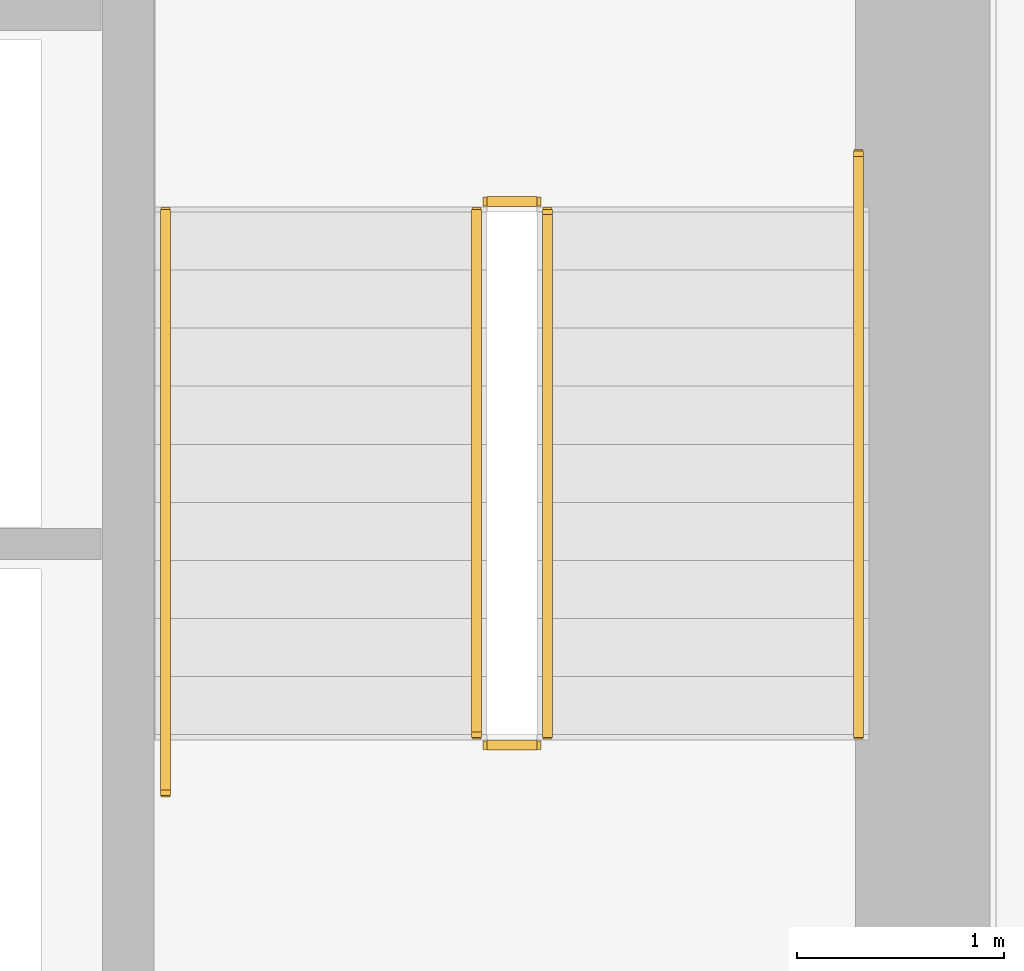
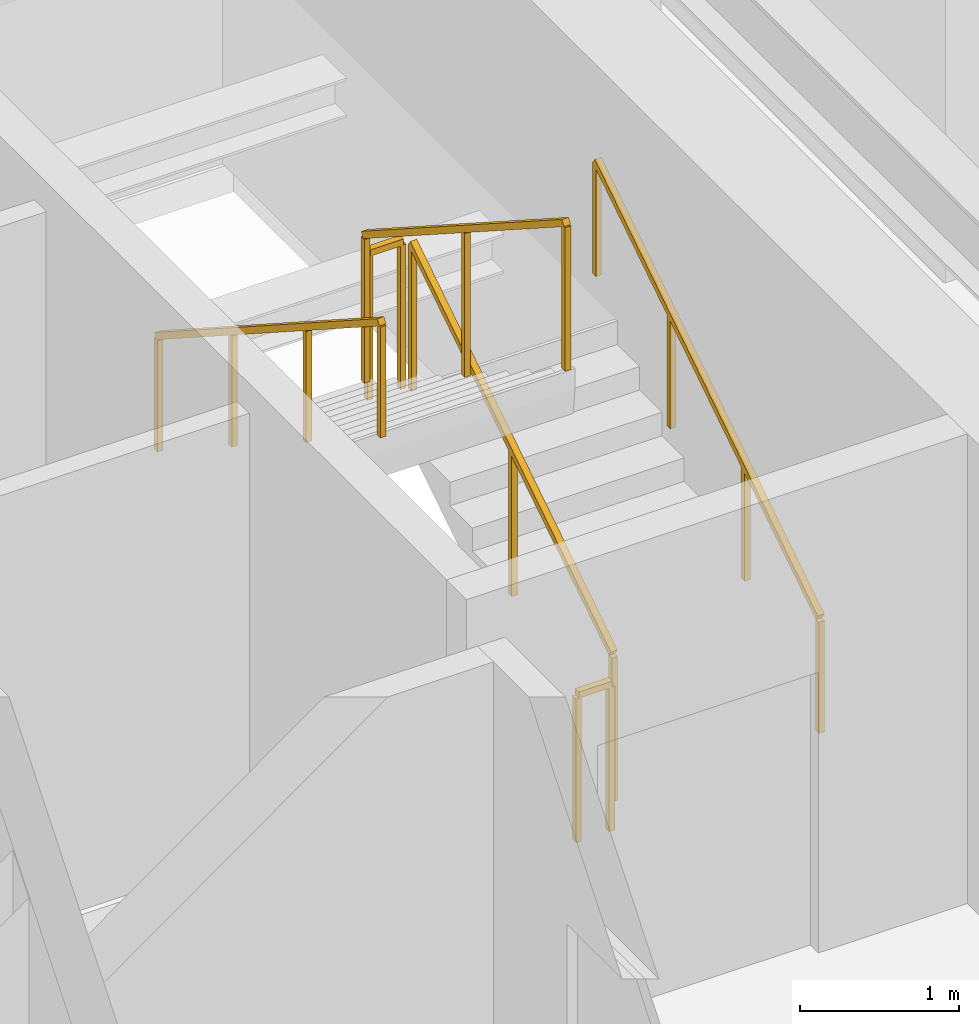
# One storey, part 27 of 28: 6 railings.
"""IFC4 building model written with IfcOpenShell, lengths in metres."""

from ifc_helpers import new_model, si_unit, direction, frame, origin, origin_2d, place, context, subcontext, project, spatial, rectangle, extrude, material, type_object, element, save


model = new_model("IFC4")

# Units and contexts
model_context = context("Model", 3, precision=1e-05, world=origin(), true_north=direction((0.0, 1.0)))
body_context = subcontext(model_context, "Body", "Model", "MODEL_VIEW")
ifc_project = project(units=[si_unit("LENGTHUNIT", "METRE"), si_unit("AREAUNIT", "SQUARE_METRE"), si_unit("VOLUMEUNIT", "CUBIC_METRE"), si_unit("PLANEANGLEUNIT", "RADIAN"), si_unit("MASSUNIT", "GRAM", prefix="KILO")], contexts=[model_context])

# Site, building, storey
site_placement = place(None, origin())
site = spatial("IfcSite", under=ifc_project, at=site_placement, CompositionType="ELEMENT")
building_placement = place(site_placement, origin())
building = spatial("IfcBuilding", under=site, at=building_placement, Name="Sumidabori Civic Tower", CompositionType="ELEMENT")
storey_placement = place(building_placement, frame((0.0, 0.0, 178.39990234375)))
storey = spatial("IfcBuildingStorey", under=building, at=storey_placement, Name="L46", CompositionType="ELEMENT", Elevation=178.39990234375)

# Railings
ifc_material_1 = material(Name="Stainless Steel Hairline Finish", Category="steel")
railing_type_1 = type_object("IfcRailingType", Name="RL-HANDRAIL", PredefinedType="HANDRAIL", material=ifc_material_1)
railing_1_placement = place(storey_placement, frame((15.2900390625, 16.0, 0.18017578125)))
element("IfcRailing", 1, at=railing_1_placement, inside=storey, type_object=railing_type_1, Name="L46 ST-2 stair handrail 1", PredefinedType="HANDRAIL", context=body_context, shape_type="SweptSolid", body=[
    extrude(rectangle(XDim=0.048095703125, YDim=0.048095703125, at=origin_2d()), frame((0.0, 0.0, 0.8759765625), z_axis=(0.0, 0.840675598268, 0.541539046124), x_axis=(-1.0, 0.0, 0.0)), (0.0, 0.0, 1.0), 3.330810546875),
    extrude(rectangle(XDim=0.0419921875, YDim=0.0419921875, at=origin_2d()), origin(), (0.0, 0.0, 1.0), 0.851806640625),
    extrude(rectangle(XDim=0.0419921875, YDim=0.0419921875, at=origin_2d()), frame((0.0, 0.933349609375, 0.601318359375)), (0.0, 0.0, 1.0), 0.851806640625),
    extrude(rectangle(XDim=0.0419921875, YDim=0.0419921875, at=origin_2d()), frame((0.0, 1.86669921875, 1.202392578125)), (0.0, 0.0, 1.0), 0.851806640625),
    extrude(rectangle(XDim=0.0419921875, YDim=0.0419921875, at=origin_2d()), frame((0.0, 2.800048828125, 1.8037109375)), (0.0, 0.0, 1.0), 0.851806640625),
])
railing_2_placement = place(storey_placement, frame((11.949951171875, 18.52001953125, 1.97998046875)))
element("IfcRailing", 2, at=railing_2_placement, inside=storey, type_object=railing_type_1, Name="L46 ST-2 stair handrail 2", PredefinedType="HANDRAIL", context=body_context, shape_type="SweptSolid", body=[
    extrude(rectangle(XDim=0.048095703125, YDim=0.048095703125, at=origin_2d()), frame((0.0, 0.0, 0.8759765625), z_axis=(0.0, -0.84064222762, 0.54159084662), x_axis=(1.0, 0.0, 0.0)), (0.0, 0.0, 1.0), 3.330810546875),
    extrude(rectangle(XDim=0.0419921875, YDim=0.0419921875, at=origin_2d()), origin(), (0.0, 0.0, 1.0), 0.851806640625),
    extrude(rectangle(XDim=0.0419921875, YDim=0.0419921875, at=origin_2d()), frame((0.0, -0.933349609375, 0.601318359375)), (0.0, 0.0, 1.0), 0.851806640625),
    extrude(rectangle(XDim=0.0419921875, YDim=0.0419921875, at=origin_2d()), frame((0.0, -1.86669921875, 1.20263671875)), (0.0, 0.0, 1.0), 0.851806640625),
    extrude(rectangle(XDim=0.0419921875, YDim=0.0419921875, at=origin_2d()), frame((0.0, -2.800048828125, 1.803955078125)), (0.0, 0.0, 1.0), 0.851806640625),
])
ifc_material_2 = material(Name="Steel SN490", Category="steel")
railing_type_2 = type_object("IfcRailingType", Name="RL-STAIR-GUARD", PredefinedType="GUARDRAIL", material=ifc_material_2)
railing_3_placement = place(storey_placement, frame((13.7900390625, 16.0, 0.18017578125)))
element("IfcRailing", 3, at=railing_3_placement, inside=storey, type_object=railing_type_2, Name="L46 ST-2 stair guard 1", PredefinedType="GUARDRAIL", context=body_context, shape_type="SweptSolid", body=[
    extrude(rectangle(XDim=0.048095703125, YDim=0.048095703125, at=origin_2d()), frame((0.0, 0.0, 1.1259765625), z_axis=(0.0, 0.841199657755, 0.540724639528), x_axis=(-1.0, 0.0, 0.0)), (0.0, 0.0, 1.0), 2.995849609375),
    extrude(rectangle(XDim=0.0419921875, YDim=0.0419921875, at=origin_2d()), origin(), (0.0, 0.0, 1.0), 1.101806640625),
    extrude(rectangle(XDim=0.0419921875, YDim=0.0419921875, at=origin_2d()), frame((0.0, 1.260009765625, 0.81005859375)), (0.0, 0.0, 1.0), 1.101806640625),
    extrude(rectangle(XDim=0.0419921875, YDim=0.0419921875, at=origin_2d()), frame((0.0, 2.52001953125, 1.619873046875)), (0.0, 0.0, 1.0), 1.101806640625),
])
railing_4_placement = place(storey_placement, frame((13.739990234375, 18.570068359375, 1.800048828125)))
element("IfcRailing", 4, at=railing_4_placement, inside=storey, type_object=railing_type_2, Name="L46 ST-2 stair guard 2", PredefinedType="GUARDRAIL", context=body_context, shape_type="SweptSolid", body=[
    extrude(rectangle(XDim=0.048095703125, YDim=0.048095703125, at=origin_2d()), frame((0.0, 0.0, 1.1259765625), z_axis=(-1.0, 0.0, 0.0), x_axis=(0.0, -1.0, 0.0)), (0.0, 0.0, 1.0), 0.239990234375),
    extrude(rectangle(XDim=0.0419921875, YDim=0.0419921875, at=origin_2d()), origin(), (0.0, 0.0, 1.0), 1.101806640625),
    extrude(rectangle(XDim=0.0419921875, YDim=0.0419921875, at=origin_2d()), frame((-0.239990234375, 0.0, 0.0)), (0.0, 0.0, 1.0), 1.101806640625),
])
railing_5_placement = place(storey_placement, frame((13.449951171875, 18.52001953125, 1.97998046875)))
element("IfcRailing", 5, at=railing_5_placement, inside=storey, type_object=railing_type_2, Name="L46 ST-2 stair guard 3", PredefinedType="GUARDRAIL", context=body_context, shape_type="SweptSolid", body=[
    extrude(rectangle(XDim=0.048095703125, YDim=0.048095703125, at=origin_2d()), frame((0.0, 0.0, 1.1259765625), z_axis=(0.0, -0.841162588446, 0.540782303519), x_axis=(1.0, 0.0, 0.0)), (0.0, 0.0, 1.0), 2.995849609375),
    extrude(rectangle(XDim=0.0419921875, YDim=0.0419921875, at=origin_2d()), origin(), (0.0, 0.0, 1.0), 1.101806640625),
    extrude(rectangle(XDim=0.0419921875, YDim=0.0419921875, at=origin_2d()), frame((0.0, -1.260009765625, 0.81005859375)), (0.0, 0.0, 1.0), 1.101806640625),
    extrude(rectangle(XDim=0.0419921875, YDim=0.0419921875, at=origin_2d()), frame((0.0, -2.52001953125, 1.6201171875)), (0.0, 0.0, 1.0), 1.101806640625),
])
railing_6_placement = place(storey_placement, frame((13.739990234375, 15.949951171875, 0.0)))
element("IfcRailing", 6, at=railing_6_placement, inside=storey, type_object=railing_type_2, Name="L46 ST-2 stair guard 4", PredefinedType="GUARDRAIL", context=body_context, shape_type="SweptSolid", body=[
    extrude(rectangle(XDim=0.048095703125, YDim=0.048095703125, at=origin_2d()), frame((0.0, 0.0, 1.1259765625), z_axis=(-1.0, 0.0, 0.0), x_axis=(0.0, -1.0, 0.0)), (0.0, 0.0, 1.0), 0.239990234375),
    extrude(rectangle(XDim=0.0419921875, YDim=0.0419921875, at=origin_2d()), origin(), (0.0, 0.0, 1.0), 1.101806640625),
    extrude(rectangle(XDim=0.0419921875, YDim=0.0419921875, at=origin_2d()), frame((-0.239990234375, 0.0, 0.0)), (0.0, 0.0, 1.0), 1.101806640625),
])

save(model, "model.ifc")
